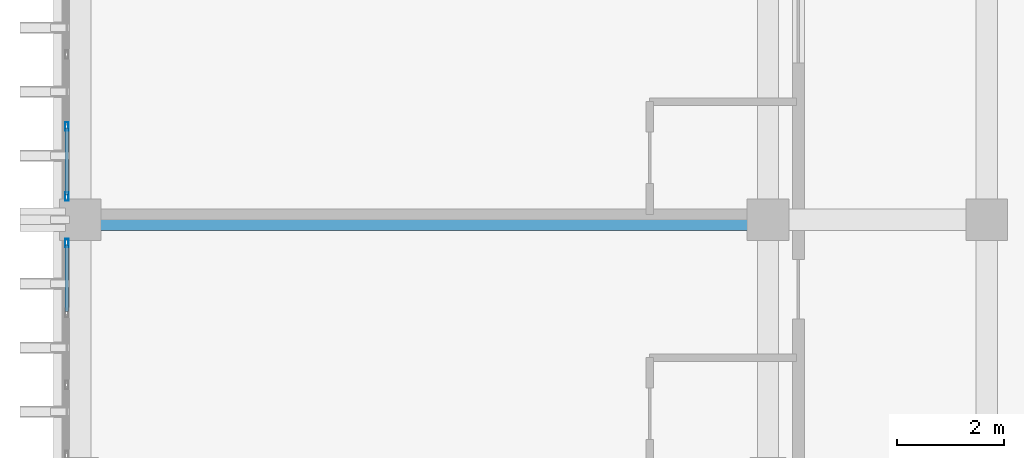
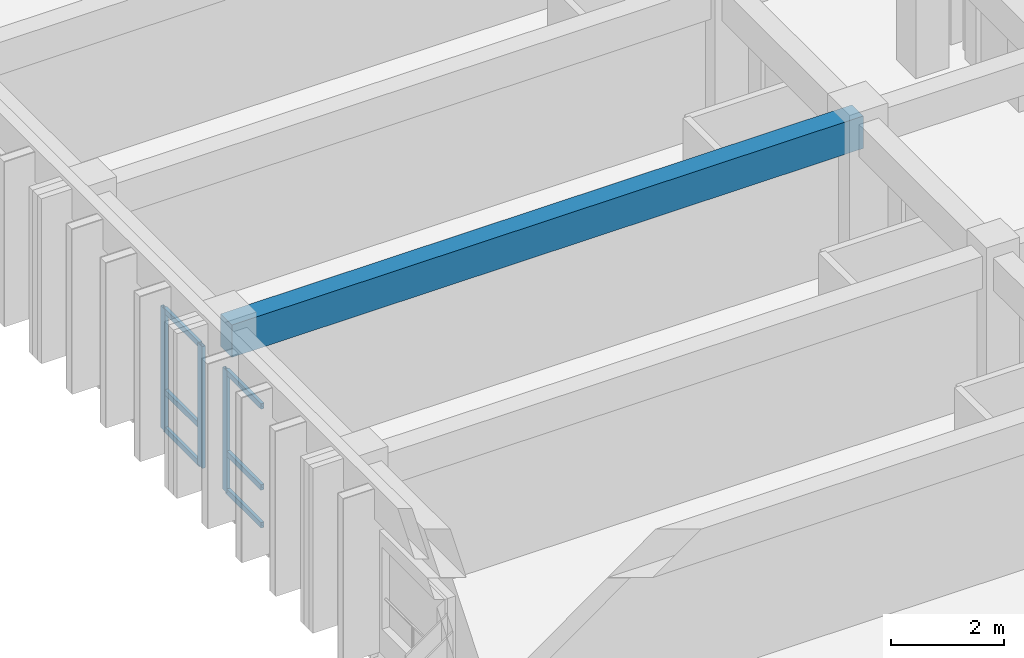
# One storey, part 17 of 68: 9 members, 1 beam, 2 elements without a shape of their own.
"""IFC4 building model written with IfcOpenShell, lengths in metres."""

from ifc_helpers import new_model, si_unit, direction, frame, origin, origin_2d, place, context, subcontext, project, spatial, rectangle, hollow_rectangle, extrude, material, layer, layer_set, material_profile, profile_set, type_object, element, aggregate, save


model = new_model("IFC4")

# Units and contexts
model_context = context("Model", 3, precision=1e-05, world=origin(), true_north=direction((0.0, 1.0)))
body_context = subcontext(model_context, "Body", "Model", "MODEL_VIEW")
ifc_project = project(units=[si_unit("LENGTHUNIT", "METRE"), si_unit("AREAUNIT", "SQUARE_METRE"), si_unit("VOLUMEUNIT", "CUBIC_METRE"), si_unit("PLANEANGLEUNIT", "RADIAN"), si_unit("MASSUNIT", "GRAM", prefix="KILO")], contexts=[model_context])

# Site, building, storey
site_placement = place(None, origin())
site = spatial("IfcSite", under=ifc_project, at=site_placement, CompositionType="ELEMENT")
building_placement = place(site_placement, origin())
building = spatial("IfcBuilding", under=site, at=building_placement, Name="Nakhvara Creek Congress Hotel", CompositionType="ELEMENT")
storey_placement = place(building_placement, frame((0.0, 0.0, 24.60009765625)))
storey = spatial("IfcBuildingStorey", under=building, at=storey_placement, Name="L05", CompositionType="ELEMENT", Elevation=24.60009765625)

# Beam
ifc_material_1 = material(Name="Concrete C40/50", Category="concrete")
ifc_material_profile_1 = material_profile(ifc_material_1, rectangle(XDim=0.39990234375, YDim=0.699951171875, at=origin_2d()), Name="RC-BM 400x700", Category="LoadBearing")
ifc_profile_set_1 = profile_set([ifc_material_profile_1], Name="Concrete C40/50")
beam_type = type_object("IfcBeamType", Name="BM-RC-400X700", PredefinedType="BEAM", material=ifc_profile_set_1)
beam_placement = place(storey_placement, frame((149.449951171875, 57.60009765625, 2.989990234375), z_axis=(1.0, 0.0, 0.0), x_axis=(0.0, 1.0, 0.0)))
element("IfcBeam", 1, at=beam_placement, inside=storey, type_object=beam_type, Name="Beam B05-L05-2066", PredefinedType="BEAM", context=body_context, shape_type="SweptSolid", body=[
    extrude(rectangle(XDim=0.39990234375, YDim=0.699951171875, at=origin_2d()), origin(), (0.0, 0.0, 1.0), 12.900146484375),
])

# Curtain wall, member
ifc_material_2 = material(Name="Bronze-anodised aluminium AW-6063-T6 and double-silver low-E glass", Category="aluminium")
ifc_layer = layer(ifc_material_2, 0.199951171875)
ifc_layer_set = layer_set([ifc_layer], Name="Bronze-anodised aluminium AW-6063-T6 and double-silver low-E glass")
curtain_wall_type = type_object("IfcCurtainWallType", Name="CW-HTL-UNIT", PredefinedType="USERDEFINED", material=ifc_layer_set)
curtain_wall_1_placement = place(storey_placement, origin())
curtain_wall_1 = element("IfcCurtainWall", 2, at=curtain_wall_1_placement, inside=storey, type_object=curtain_wall_type, Name="Curtain Wall CW209", ObjectType="UNITISED", PredefinedType="USERDEFINED")
ifc_material_3 = material(Name="Bronze-anodised aluminium AW-6063-T6", Category="aluminium")
ifc_material_profile_2 = material_profile(ifc_material_3, hollow_rectangle(XDim=0.06494140625, YDim=0.159912109375, WallThickness=0.00390625, at=origin_2d()), Name="ALU-MULL 65x160x4", Category="LoadBearing")
ifc_profile_set_2 = profile_set([ifc_material_profile_2], Name="Bronze-anodised aluminium AW-6063-T6")
member_type_1 = type_object("IfcMemberType", Name="CW-MULL-160", PredefinedType="MULLION", material=ifc_profile_set_2)
member_1_placement = place(storey_placement, frame((149.199951171875, 57.16259765625, 0.0), z_axis=(0.0, 0.0, 1.0), x_axis=(-1.0, 0.0, 0.0)))
member_1 = element("IfcMember", 3, at=member_1_placement, type_object=member_type_1, Name="CW209 mullion 4", PredefinedType="MULLION", context=body_context, shape_type="SweptSolid", body=[
    extrude(hollow_rectangle(XDim=0.06494140625, YDim=0.159912109375, WallThickness=0.00390625, at=origin_2d()), origin(), (0.0, 0.0, 1.0), 2.6318359375),
])

# Curtain wall, members
curtain_wall_2_placement = place(storey_placement, origin())
curtain_wall_2 = element("IfcCurtainWall", 4, at=curtain_wall_2_placement, inside=storey, type_object=curtain_wall_type, Name="Curtain Wall CW211", ObjectType="UNITISED", PredefinedType="USERDEFINED")
member_2_placement = place(storey_placement, frame((149.199951171875, 58.03759765625, 0.0), z_axis=(0.0, 0.0, 1.0), x_axis=(-1.0, 0.0, 0.0)))
member_2 = element("IfcMember", 5, at=member_2_placement, type_object=member_type_1, Name="CW211 mullion 1", PredefinedType="MULLION", context=body_context, shape_type="SweptSolid", body=[
    extrude(hollow_rectangle(XDim=0.06494140625, YDim=0.159912109375, WallThickness=0.00390625, at=origin_2d()), origin(), (0.0, 0.0, 1.0), 2.6318359375),
])
member_3_placement = place(storey_placement, frame((149.199951171875, 59.3515625, 0.0), z_axis=(0.0, 0.0, 1.0), x_axis=(-1.0, 0.0, 0.0)))
member_3 = element("IfcMember", 6, at=member_3_placement, type_object=member_type_1, Name="CW211 mullion 2", PredefinedType="MULLION", context=body_context, shape_type="SweptSolid", body=[
    extrude(hollow_rectangle(XDim=0.06494140625, YDim=0.159912109375, WallThickness=0.00390625, at=origin_2d()), origin(), (0.0, 0.0, 1.0), 2.6318359375),
])

# Member
ifc_material_profile_3 = material_profile(ifc_material_3, hollow_rectangle(XDim=0.06494140625, YDim=0.1201171875, WallThickness=0.00390625, at=origin_2d()), Name="ALU-TRAN 65x120x4", Category="LoadBearing")
ifc_profile_set_3 = profile_set([ifc_material_profile_3], Name="Bronze-anodised aluminium AW-6063-T6")
member_type_2 = type_object("IfcMemberType", Name="CW-TRAN-120", PredefinedType="USERDEFINED", material=ifc_profile_set_3)
member_4_placement = place(storey_placement, frame((149.199951171875, 55.880859375, 0.032470703125), z_axis=(0.0, 1.0, 0.0), x_axis=(-1.0, 0.0, 0.0)))
member_4 = element("IfcMember", 7, at=member_4_placement, type_object=member_type_2, Name="CW209 transom 3.1", ObjectType="TRANSOM", PredefinedType="USERDEFINED", context=body_context, shape_type="SweptSolid", body=[
    extrude(hollow_rectangle(XDim=0.06494140625, YDim=0.1201171875, WallThickness=0.00390625, at=origin_2d()), origin(), (0.0, 0.0, 1.0), 1.2490234375),
])

member_5_placement = place(storey_placement, frame((149.199951171875, 55.880859375, 0.849853515625), z_axis=(0.0, 1.0, 0.0), x_axis=(-1.0, 0.0, 0.0)))
member_5 = element("IfcMember", 8, at=member_5_placement, type_object=member_type_2, Name="CW209 transom 3.2", ObjectType="TRANSOM", PredefinedType="USERDEFINED", context=body_context, shape_type="SweptSolid", body=[
    extrude(hollow_rectangle(XDim=0.06494140625, YDim=0.1201171875, WallThickness=0.00390625, at=origin_2d()), origin(), (0.0, 0.0, 1.0), 1.2490234375),
])

member_6_placement = place(storey_placement, frame((149.199951171875, 55.880859375, 2.599365234375), z_axis=(0.0, 1.0, 0.0), x_axis=(-1.0, 0.0, 0.0)))
member_6 = element("IfcMember", 9, at=member_6_placement, type_object=member_type_2, Name="CW209 transom 3.3", ObjectType="TRANSOM", PredefinedType="USERDEFINED", context=body_context, shape_type="SweptSolid", body=[
    extrude(hollow_rectangle(XDim=0.06494140625, YDim=0.1201171875, WallThickness=0.00390625, at=origin_2d()), origin(), (0.0, 0.0, 1.0), 1.2490234375),
])

aggregate(curtain_wall_1, [member_1, member_4, member_5, member_6])

member_7_placement = place(storey_placement, frame((149.199951171875, 58.070068359375, 0.032470703125), z_axis=(0.0, 1.0, 0.0), x_axis=(-1.0, 0.0, 0.0)))
member_7 = element("IfcMember", 10, at=member_7_placement, type_object=member_type_2, Name="CW211 transom 1.1", ObjectType="TRANSOM", PredefinedType="USERDEFINED", context=body_context, shape_type="SweptSolid", body=[
    extrude(hollow_rectangle(XDim=0.06494140625, YDim=0.1201171875, WallThickness=0.00390625, at=origin_2d()), origin(), (0.0, 0.0, 1.0), 1.2490234375),
])

member_8_placement = place(storey_placement, frame((149.199951171875, 58.070068359375, 0.849853515625), z_axis=(0.0, 1.0, 0.0), x_axis=(-1.0, 0.0, 0.0)))
member_8 = element("IfcMember", 11, at=member_8_placement, type_object=member_type_2, Name="CW211 transom 1.2", ObjectType="TRANSOM", PredefinedType="USERDEFINED", context=body_context, shape_type="SweptSolid", body=[
    extrude(hollow_rectangle(XDim=0.06494140625, YDim=0.1201171875, WallThickness=0.00390625, at=origin_2d()), origin(), (0.0, 0.0, 1.0), 1.2490234375),
])

member_9_placement = place(storey_placement, frame((149.199951171875, 58.070068359375, 2.599365234375), z_axis=(0.0, 1.0, 0.0), x_axis=(-1.0, 0.0, 0.0)))
member_9 = element("IfcMember", 12, at=member_9_placement, type_object=member_type_2, Name="CW211 transom 1.3", ObjectType="TRANSOM", PredefinedType="USERDEFINED", context=body_context, shape_type="SweptSolid", body=[
    extrude(hollow_rectangle(XDim=0.06494140625, YDim=0.1201171875, WallThickness=0.00390625, at=origin_2d()), origin(), (0.0, 0.0, 1.0), 1.2490234375),
])

aggregate(curtain_wall_2, [member_2, member_3, member_7, member_8, member_9])

save(model, "model.ifc")
